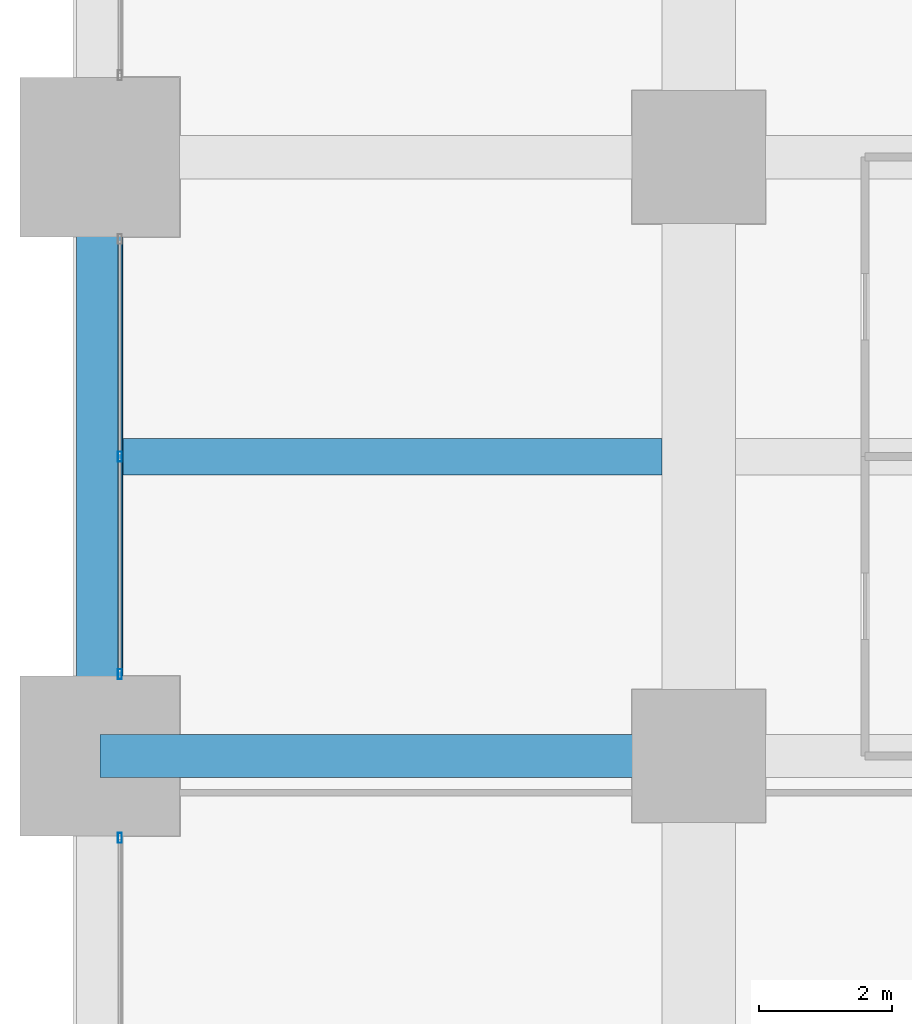
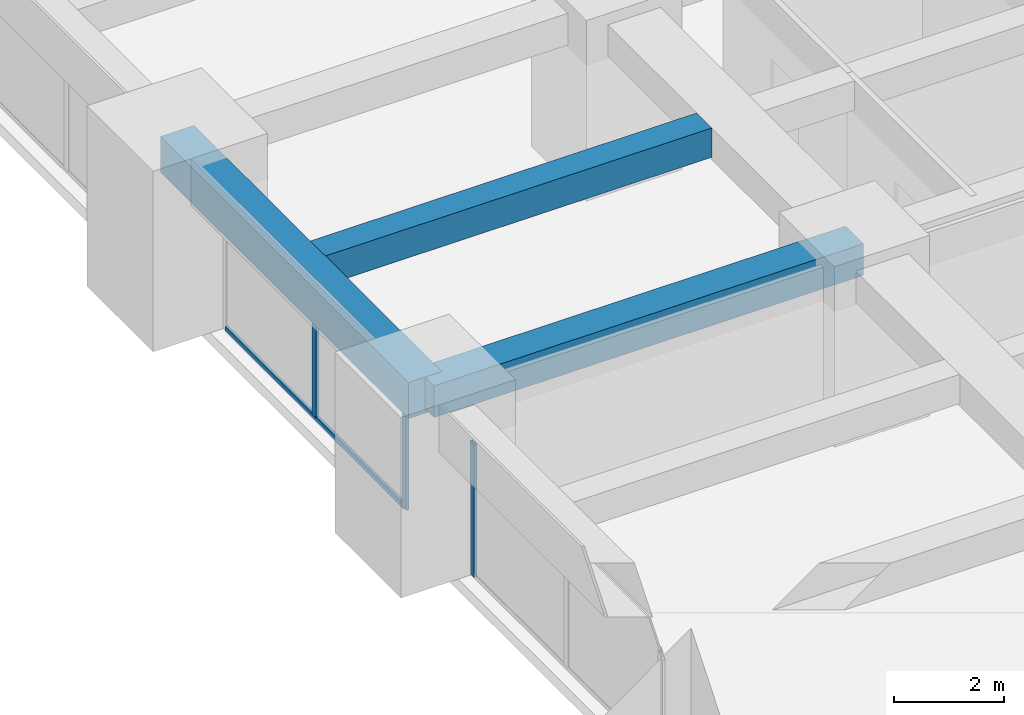
# One storey, part 9 of 41: 4 members, 3 beams, 2 elements without a shape of their own.
"""IFC4 building model written with IfcOpenShell, lengths in metres."""

from ifc_helpers import new_model, si_unit, direction, frame, origin, origin_2d, place, context, subcontext, project, spatial, rectangle, hollow_rectangle, extrude, material, material_profile, profile_set, type_object, element, aggregate, save


model = new_model("IFC4")

# Units and contexts
model_context = context("Model", 3, precision=1e-05, world=origin(), true_north=direction((0.0, 1.0)))
body_context = subcontext(model_context, "Body", "Model", "MODEL_VIEW")
ifc_project = project(units=[si_unit("LENGTHUNIT", "METRE"), si_unit("AREAUNIT", "SQUARE_METRE"), si_unit("VOLUMEUNIT", "CUBIC_METRE"), si_unit("PLANEANGLEUNIT", "RADIAN"), si_unit("MASSUNIT", "GRAM", prefix="KILO")], contexts=[model_context])

# Site, building, storey
site_placement = place(None, origin())
site = spatial("IfcSite", under=ifc_project, at=site_placement, CompositionType="ELEMENT")
building_placement = place(site_placement, origin())
building = spatial("IfcBuilding", under=site, at=building_placement, Name="Zorevar Civic Tower", CompositionType="ELEMENT")
storey_placement = place(building_placement, frame((0.0, 0.0, 105.0)))
storey = spatial("IfcBuildingStorey", under=building, at=storey_placement, Name="L25", CompositionType="ELEMENT", Elevation=105.0)

# Beams
ifc_material_1 = material(Name="Concrete C50/60", Category="concrete")
ifc_material_profile_1 = material_profile(ifc_material_1, rectangle(XDim=0.550048828125, YDim=0.64990234375, at=origin_2d()), Name="RC 550x650")
ifc_profile_set_1 = profile_set([ifc_material_profile_1], Name="Concrete C50/60")
beam_type_1 = type_object("IfcBeamType", Name="Beam RC 550x650", PredefinedType="BEAM", material=ifc_profile_set_1)
beam_1_placement = place(storey_placement, frame((0.35009765625, 22.5, 3.425048828125), z_axis=(1.0, 0.0, 0.0), x_axis=(0.0, 1.0, 0.0)))
element("IfcBeam", 1, at=beam_1_placement, inside=storey, type_object=beam_type_1, Name="Secondary beam L26", PredefinedType="BEAM", context=body_context, shape_type="SweptSolid", body=[
    extrude(rectangle(XDim=0.550048828125, YDim=0.64990234375, at=origin_2d()), origin(), (0.0, 0.0, 1.0), 8.099853515625),
])
ifc_material_2 = material(Name="Concrete C50/60", Category="concrete")
ifc_material_profile_2 = material_profile(ifc_material_2, rectangle(XDim=0.64990234375, YDim=0.699951171875, at=origin_2d()), Name="RC 650x700")
ifc_profile_set_2 = profile_set([ifc_material_profile_2], Name="Concrete C50/60")
beam_type_2 = type_object("IfcBeamType", Name="Beam RC 650x700", PredefinedType="BEAM", material=ifc_profile_set_2)
beam_2_placement = place(storey_placement, frame((0.0, 18.0, 3.39990234375), z_axis=(1.0, 0.0, 0.0), x_axis=(0.0, 1.0, 0.0)))
element("IfcBeam", 2, at=beam_2_placement, inside=storey, type_object=beam_type_2, Name="Girder L26", PredefinedType="BEAM", context=body_context, shape_type="SweptSolid", body=[
    extrude(rectangle(XDim=0.64990234375, YDim=0.699951171875, at=origin_2d()), origin(), (0.0, 0.0, 1.0), 9.0),
])

# Curtain wall, member
ifc_material_3 = material(Name="Dark grey solar-control glass in black aluminium frame", Category="aluminium")
curtain_wall_type = type_object("IfcCurtainWallType", Name="Curtain wall CW3 mid zone", PredefinedType="NOTDEFINED", material=ifc_material_3)
curtain_wall_1_placement = place(storey_placement, origin())
curtain_wall_1 = element("IfcCurtainWall", 3, at=curtain_wall_1_placement, inside=storey, type_object=curtain_wall_type, Name="CW3 L25", PredefinedType="NOTDEFINED")
ifc_material_4 = material(Name="Aluminium, black anodised", Category="aluminium")
ifc_material_profile_3 = material_profile(ifc_material_4, hollow_rectangle(XDim=0.06005859375, YDim=0.14990234375, WallThickness=0.00390625, at=origin_2d()), Name="AL 150x60x4")
ifc_profile_set_3 = profile_set([ifc_material_profile_3], Name="Aluminium, black anodised")
member_type_1 = type_object("IfcMemberType", Name="CW3 mullion AL 150x60x4", PredefinedType="MULLION", material=ifc_profile_set_3)
member_1_placement = place(storey_placement, frame((0.300048828125, 16.77001953125, 0.0), z_axis=(0.0, 0.0, 1.0), x_axis=(-1.0, 0.0, 0.0)))
member_1 = element("IfcMember", 4, at=member_1_placement, type_object=member_type_1, Name="CW3 mullion 3", PredefinedType="MULLION", context=body_context, shape_type="SweptSolid", body=[
    extrude(hollow_rectangle(XDim=0.06005859375, YDim=0.14990234375, WallThickness=0.00390625, at=origin_2d()), origin(), (0.0, 0.0, 1.0), 2.949951171875),
])
aggregate(curtain_wall_1, [member_1])

# Curtain wall, members
curtain_wall_2_placement = place(storey_placement, origin())
curtain_wall_2 = element("IfcCurtainWall", 5, at=curtain_wall_2_placement, inside=storey, type_object=curtain_wall_type, Name="CW3 L25", PredefinedType="NOTDEFINED")
member_2_placement = place(storey_placement, frame((0.300048828125, 19.22998046875, 0.0), z_axis=(0.0, 0.0, 1.0), x_axis=(-1.0, 0.0, 0.0)))
member_2 = element("IfcMember", 6, at=member_2_placement, type_object=member_type_1, Name="CW3 mullion 1", PredefinedType="MULLION", context=body_context, shape_type="SweptSolid", body=[
    extrude(hollow_rectangle(XDim=0.06005859375, YDim=0.14990234375, WallThickness=0.00390625, at=origin_2d()), origin(), (0.0, 0.0, 1.0), 2.949951171875),
])
member_3_placement = place(storey_placement, frame((0.300048828125, 22.5, 0.06005859375), z_axis=(0.0, 0.0, 1.0), x_axis=(-1.0, 0.0, 0.0)))
member_3 = element("IfcMember", 7, at=member_3_placement, type_object=member_type_1, Name="CW3 mullion 2", PredefinedType="MULLION", context=body_context, shape_type="SweptSolid", body=[
    extrude(hollow_rectangle(XDim=0.06005859375, YDim=0.14990234375, WallThickness=0.00390625, at=origin_2d()), origin(), (0.0, 0.0, 1.0), 2.889892578125),
])
ifc_material_5 = material(Name="Aluminium, black anodised", Category="aluminium")
ifc_material_profile_4 = material_profile(ifc_material_5, hollow_rectangle(XDim=0.06005859375, YDim=0.1201171875, WallThickness=0.0029296875, at=origin_2d()), Name="AL 120x60x3")
ifc_profile_set_4 = profile_set([ifc_material_profile_4], Name="Aluminium, black anodised")
member_type_2 = type_object("IfcMemberType", Name="CW3 transom AL 120x60x3", PredefinedType="USERDEFINED", material=ifc_profile_set_4)
member_4_placement = place(storey_placement, frame((0.300048828125, 19.260009765625, 0.030029296875), z_axis=(0.0, 1.0, 0.0), x_axis=(-1.0, 0.0, 0.0)))
member_4 = element("IfcMember", 8, at=member_4_placement, type_object=member_type_2, Name="CW3 sill transom", ObjectType="TRANSOM", PredefinedType="USERDEFINED", context=body_context, shape_type="SweptSolid", body=[
    extrude(hollow_rectangle(XDim=0.06005859375, YDim=0.1201171875, WallThickness=0.0029296875, at=origin_2d()), origin(), (0.0, 0.0, 1.0), 6.47998046875),
])
aggregate(curtain_wall_2, [member_2, member_3, member_4])

# Beam
ifc_material_6 = material(Name="Concrete C50/60", Category="concrete")
ifc_material_profile_5 = material_profile(ifc_material_6, rectangle(XDim=0.699951171875, YDim=0.800048828125, at=origin_2d()), Name="RC 700x800")
ifc_profile_set_5 = profile_set([ifc_material_profile_5], Name="Concrete C50/60")
beam_type_3 = type_object("IfcBeamType", Name="Edge beam RC 700x800", PredefinedType="SPANDREL", material=ifc_profile_set_5)
beam_3_placement = place(storey_placement, frame((0.0, 18.0, 3.35009765625), z_axis=(0.0, 1.0, 0.0), x_axis=(-1.0, 0.0, 0.0)))
element("IfcBeam", 9, at=beam_3_placement, inside=storey, type_object=beam_type_3, Name="Edge beam L26", PredefinedType="SPANDREL", context=body_context, shape_type="SweptSolid", body=[
    extrude(rectangle(XDim=0.699951171875, YDim=0.800048828125, at=origin_2d()), origin(), (0.0, 0.0, 1.0), 9.0),
])

save(model, "model.ifc")
